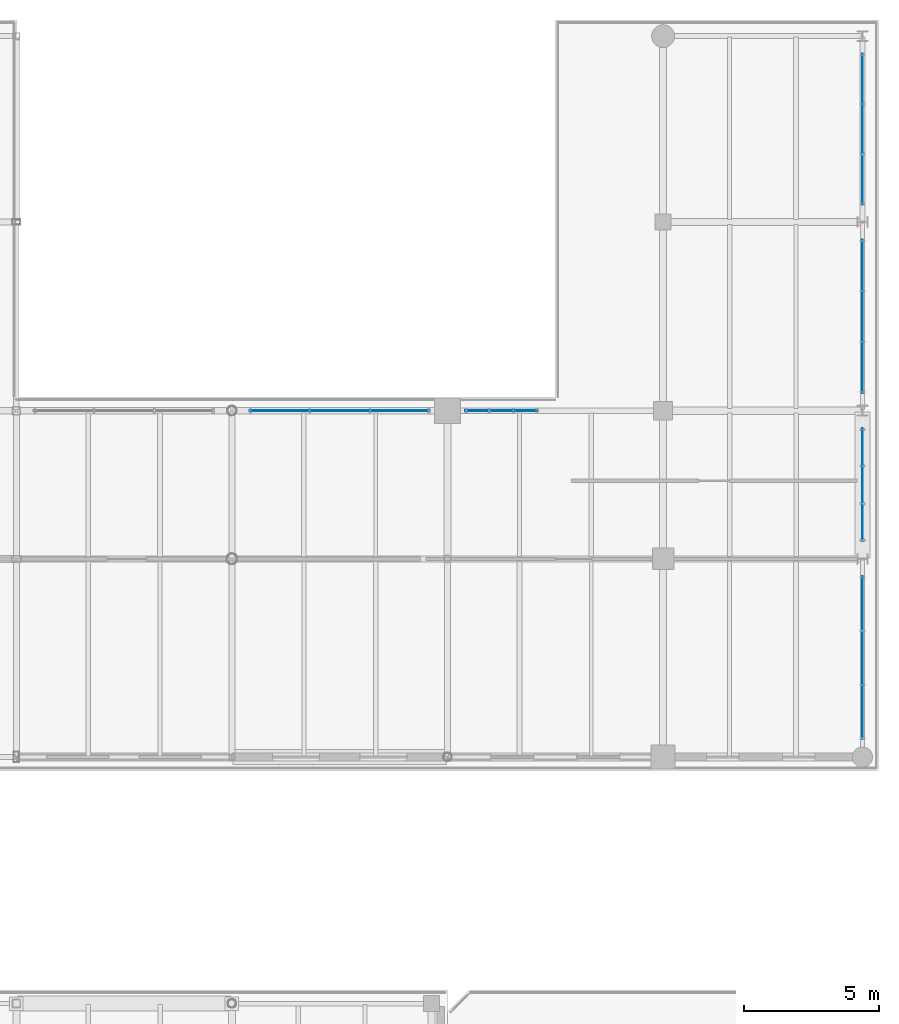
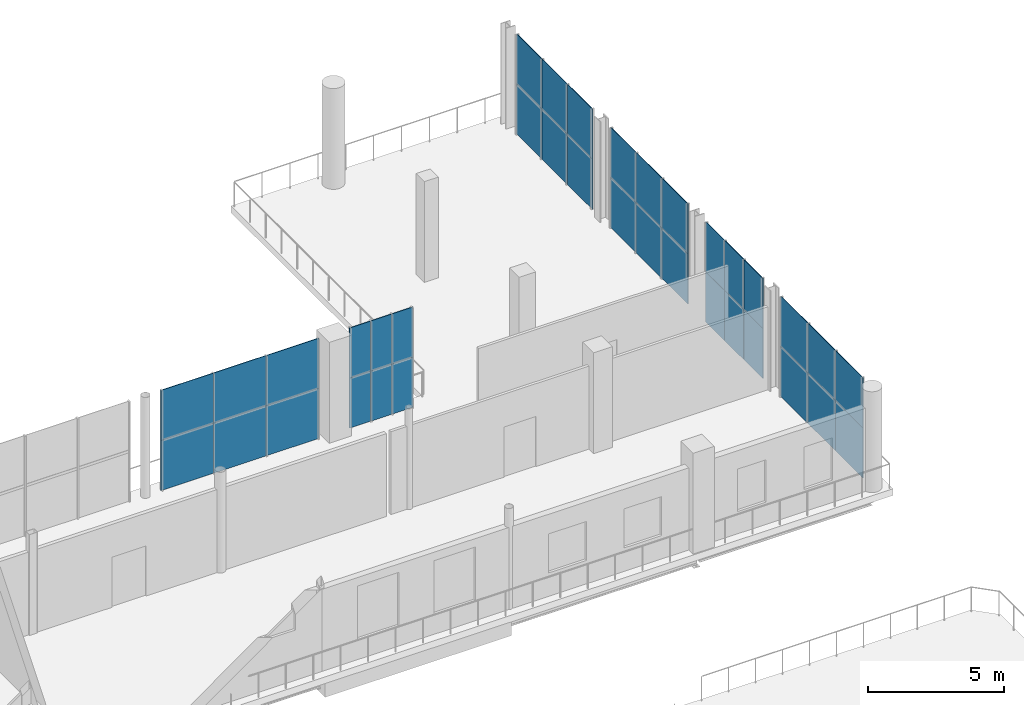
# One storey, part 67 of 93: 36 plates, 6 elements without a shape of their own.
"""IFC4 building model written with IfcOpenShell, lengths in metres."""

from ifc_helpers import new_model, si_unit, direction, frame, origin, origin_2d, place, context, subcontext, project, spatial, rectangle, extrude, material, layer, layer_set, type_object, element, aggregate, save


model = new_model("IFC4")

# Units and contexts
model_context = context("Model", 3, precision=1e-05, world=origin(), true_north=direction((0.0, 1.0)))
body_context = subcontext(model_context, "Body", "Model", "MODEL_VIEW")
ifc_project = project(units=[si_unit("LENGTHUNIT", "METRE"), si_unit("AREAUNIT", "SQUARE_METRE"), si_unit("VOLUMEUNIT", "CUBIC_METRE"), si_unit("PLANEANGLEUNIT", "RADIAN"), si_unit("MASSUNIT", "GRAM", prefix="KILO")], contexts=[model_context])

# Site, building, storey
site_placement = place(None, origin())
site = spatial("IfcSite", under=ifc_project, at=site_placement, CompositionType="ELEMENT")
building_placement = place(site_placement, origin())
building = spatial("IfcBuilding", under=site, at=building_placement, Name="Brisemont Oceanarium", CompositionType="ELEMENT")
storey_placement = place(building_placement, frame((0.0, 0.0, 5.39990234375)))
storey = spatial("IfcBuildingStorey", under=building, at=storey_placement, Name="L01", CompositionType="ELEMENT", Elevation=5.39990234375)

# Curtain wall, plates
ifc_material_1 = material(Name="Anodized Extruded Aluminum 6063-T6", Category="aluminium")
curtain_wall_type = type_object("IfcCurtainWallType", Name="CW-RES-61X43", PredefinedType="NOTDEFINED", material=ifc_material_1)
curtain_wall_1_placement = place(storey_placement, origin())
curtain_wall_1 = element("IfcCurtainWall", 1, at=curtain_wall_1_placement, inside=storey, type_object=curtain_wall_type, Name="CW-17 curtain wall CW-V6-E-L01-01", PredefinedType="NOTDEFINED")
ifc_material_2 = material(Name="Insulated Low-E Laminated Glass", Category="glass")
ifc_layer = layer(ifc_material_2, 0.02587890625)
ifc_layer_set = layer_set([ifc_layer], Name="Insulated Low-E Laminated Glass")
plate_type = type_object("IfcPlateType", Name="PLT-CWP-V9", PredefinedType="CURTAIN_PANEL", material=ifc_layer_set)
plate_1_placement = place(storey_placement, frame((159.39990234375, 82.308349609375, 0.00146484375), z_axis=(0.0, 0.0, 1.0), x_axis=(0.0, 1.0, 0.0)))
plate_1 = element("IfcPlate", 2, at=plate_1_placement, type_object=plate_type, Name="CW-V6-E-L01-01 panel 1.1", PredefinedType="CURTAIN_PANEL", context=body_context, shape_type="SweptSolid", body=[
    extrude(rectangle(XDim=2.013671875, YDim=0.02587890625, at=origin_2d()), origin(), (0.0, 0.0, 1.0), 2.2470703125),
])
plate_2_placement = place(storey_placement, frame((159.39990234375, 82.308349609375, 2.25146484375), z_axis=(0.0, 0.0, 1.0), x_axis=(0.0, 1.0, 0.0)))
plate_2 = element("IfcPlate", 3, at=plate_2_placement, type_object=plate_type, Name="CW-V6-E-L01-01 panel 1.2", PredefinedType="CURTAIN_PANEL", context=body_context, shape_type="SweptSolid", body=[
    extrude(rectangle(XDim=2.013671875, YDim=0.02587890625, at=origin_2d()), origin(), (0.0, 0.0, 1.0), 2.2470703125),
])
plate_3_placement = place(storey_placement, frame((159.39990234375, 84.324951171875, 0.00146484375), z_axis=(0.0, 0.0, 1.0), x_axis=(0.0, 1.0, 0.0)))
plate_3 = element("IfcPlate", 4, at=plate_3_placement, type_object=plate_type, Name="CW-V6-E-L01-01 panel 2.1", PredefinedType="CURTAIN_PANEL", context=body_context, shape_type="SweptSolid", body=[
    extrude(rectangle(XDim=2.013671875, YDim=0.02587890625, at=origin_2d()), origin(), (0.0, 0.0, 1.0), 2.2470703125),
])
plate_4_placement = place(storey_placement, frame((159.39990234375, 84.324951171875, 2.25146484375), z_axis=(0.0, 0.0, 1.0), x_axis=(0.0, 1.0, 0.0)))
plate_4 = element("IfcPlate", 5, at=plate_4_placement, type_object=plate_type, Name="CW-V6-E-L01-01 panel 2.2", PredefinedType="CURTAIN_PANEL", context=body_context, shape_type="SweptSolid", body=[
    extrude(rectangle(XDim=2.013671875, YDim=0.02587890625, at=origin_2d()), origin(), (0.0, 0.0, 1.0), 2.2470703125),
])
plate_5_placement = place(storey_placement, frame((159.39990234375, 86.341796875, 0.00146484375), z_axis=(0.0, 0.0, 1.0), x_axis=(0.0, 1.0, 0.0)))
plate_5 = element("IfcPlate", 6, at=plate_5_placement, type_object=plate_type, Name="CW-V6-E-L01-01 panel 3.1", PredefinedType="CURTAIN_PANEL", context=body_context, shape_type="SweptSolid", body=[
    extrude(rectangle(XDim=2.013671875, YDim=0.02587890625, at=origin_2d()), origin(), (0.0, 0.0, 1.0), 2.2470703125),
])
plate_6_placement = place(storey_placement, frame((159.39990234375, 86.341796875, 2.25146484375), z_axis=(0.0, 0.0, 1.0), x_axis=(0.0, 1.0, 0.0)))
plate_6 = element("IfcPlate", 7, at=plate_6_placement, type_object=plate_type, Name="CW-V6-E-L01-01 panel 3.2", PredefinedType="CURTAIN_PANEL", context=body_context, shape_type="SweptSolid", body=[
    extrude(rectangle(XDim=2.013671875, YDim=0.02587890625, at=origin_2d()), origin(), (0.0, 0.0, 1.0), 2.2470703125),
])
aggregate(curtain_wall_1, [plate_1, plate_2, plate_3, plate_4, plate_5, plate_6])

curtain_wall_2_placement = place(storey_placement, origin())
curtain_wall_2 = element("IfcCurtainWall", 8, at=curtain_wall_2_placement, inside=storey, type_object=curtain_wall_type, Name="CW-17 curtain wall CW-V6-E-L01-02", PredefinedType="NOTDEFINED")
plate_7_placement = place(storey_placement, frame((159.39990234375, 89.35009765625, 0.00146484375), z_axis=(0.0, 0.0, 1.0), x_axis=(0.0, 1.0, 0.0)))
plate_7 = element("IfcPlate", 9, at=plate_7_placement, type_object=plate_type, Name="CW-V6-E-L01-02 panel 1.1", PredefinedType="CURTAIN_PANEL", context=body_context, shape_type="SweptSolid", body=[
    extrude(rectangle(XDim=1.39697265625, YDim=0.02587890625, at=origin_2d()), origin(), (0.0, 0.0, 1.0), 2.2470703125),
])
plate_8_placement = place(storey_placement, frame((159.39990234375, 89.35009765625, 2.25146484375), z_axis=(0.0, 0.0, 1.0), x_axis=(0.0, 1.0, 0.0)))
plate_8 = element("IfcPlate", 10, at=plate_8_placement, type_object=plate_type, Name="CW-V6-E-L01-02 panel 1.2", PredefinedType="CURTAIN_PANEL", context=body_context, shape_type="SweptSolid", body=[
    extrude(rectangle(XDim=1.39697265625, YDim=0.02587890625, at=origin_2d()), origin(), (0.0, 0.0, 1.0), 2.2470703125),
])
plate_9_placement = place(storey_placement, frame((159.39990234375, 90.75, 0.00146484375), z_axis=(0.0, 0.0, 1.0), x_axis=(0.0, 1.0, 0.0)))
plate_9 = element("IfcPlate", 11, at=plate_9_placement, type_object=plate_type, Name="CW-V6-E-L01-02 panel 2.1", PredefinedType="CURTAIN_PANEL", context=body_context, shape_type="SweptSolid", body=[
    extrude(rectangle(XDim=1.39697265625, YDim=0.02587890625, at=origin_2d()), origin(), (0.0, 0.0, 1.0), 2.2470703125),
])
plate_10_placement = place(storey_placement, frame((159.39990234375, 90.75, 2.25146484375), z_axis=(0.0, 0.0, 1.0), x_axis=(0.0, 1.0, 0.0)))
plate_10 = element("IfcPlate", 12, at=plate_10_placement, type_object=plate_type, Name="CW-V6-E-L01-02 panel 2.2", PredefinedType="CURTAIN_PANEL", context=body_context, shape_type="SweptSolid", body=[
    extrude(rectangle(XDim=1.39697265625, YDim=0.02587890625, at=origin_2d()), origin(), (0.0, 0.0, 1.0), 2.2470703125),
])
plate_11_placement = place(storey_placement, frame((159.39990234375, 92.14990234375, 0.00146484375), z_axis=(0.0, 0.0, 1.0), x_axis=(0.0, 1.0, 0.0)))
plate_11 = element("IfcPlate", 13, at=plate_11_placement, type_object=plate_type, Name="CW-V6-E-L01-02 panel 3.1", PredefinedType="CURTAIN_PANEL", context=body_context, shape_type="SweptSolid", body=[
    extrude(rectangle(XDim=1.39697265625, YDim=0.02587890625, at=origin_2d()), origin(), (0.0, 0.0, 1.0), 2.2470703125),
])
plate_12_placement = place(storey_placement, frame((159.39990234375, 92.14990234375, 2.25146484375), z_axis=(0.0, 0.0, 1.0), x_axis=(0.0, 1.0, 0.0)))
plate_12 = element("IfcPlate", 14, at=plate_12_placement, type_object=plate_type, Name="CW-V6-E-L01-02 panel 3.2", PredefinedType="CURTAIN_PANEL", context=body_context, shape_type="SweptSolid", body=[
    extrude(rectangle(XDim=1.39697265625, YDim=0.02587890625, at=origin_2d()), origin(), (0.0, 0.0, 1.0), 2.2470703125),
])
aggregate(curtain_wall_2, [plate_7, plate_8, plate_9, plate_10, plate_11, plate_12])

curtain_wall_3_placement = place(storey_placement, origin())
curtain_wall_3 = element("IfcCurtainWall", 15, at=curtain_wall_3_placement, inside=storey, type_object=curtain_wall_type, Name="CW-17 curtain wall CW-V6-E-L01-03", PredefinedType="NOTDEFINED")
plate_13_placement = place(storey_placement, frame((159.39990234375, 95.10009765625, 0.00146484375), z_axis=(0.0, 0.0, 1.0), x_axis=(0.0, 1.0, 0.0)))
plate_13 = element("IfcPlate", 16, at=plate_13_placement, type_object=plate_type, Name="CW-V6-E-L01-03 panel 1.1", PredefinedType="CURTAIN_PANEL", context=body_context, shape_type="SweptSolid", body=[
    extrude(rectangle(XDim=1.89697265625, YDim=0.02587890625, at=origin_2d()), origin(), (0.0, 0.0, 1.0), 2.2470703125),
])
plate_14_placement = place(storey_placement, frame((159.39990234375, 95.10009765625, 2.25146484375), z_axis=(0.0, 0.0, 1.0), x_axis=(0.0, 1.0, 0.0)))
plate_14 = element("IfcPlate", 17, at=plate_14_placement, type_object=plate_type, Name="CW-V6-E-L01-03 panel 1.2", PredefinedType="CURTAIN_PANEL", context=body_context, shape_type="SweptSolid", body=[
    extrude(rectangle(XDim=1.89697265625, YDim=0.02587890625, at=origin_2d()), origin(), (0.0, 0.0, 1.0), 2.2470703125),
])
plate_15_placement = place(storey_placement, frame((159.39990234375, 97.0, 0.00146484375), z_axis=(0.0, 0.0, 1.0), x_axis=(0.0, 1.0, 0.0)))
plate_15 = element("IfcPlate", 18, at=plate_15_placement, type_object=plate_type, Name="CW-V6-E-L01-03 panel 2.1", PredefinedType="CURTAIN_PANEL", context=body_context, shape_type="SweptSolid", body=[
    extrude(rectangle(XDim=1.89697265625, YDim=0.02587890625, at=origin_2d()), origin(), (0.0, 0.0, 1.0), 2.2470703125),
])
plate_16_placement = place(storey_placement, frame((159.39990234375, 97.0, 2.25146484375), z_axis=(0.0, 0.0, 1.0), x_axis=(0.0, 1.0, 0.0)))
plate_16 = element("IfcPlate", 19, at=plate_16_placement, type_object=plate_type, Name="CW-V6-E-L01-03 panel 2.2", PredefinedType="CURTAIN_PANEL", context=body_context, shape_type="SweptSolid", body=[
    extrude(rectangle(XDim=1.89697265625, YDim=0.02587890625, at=origin_2d()), origin(), (0.0, 0.0, 1.0), 2.2470703125),
])
plate_17_placement = place(storey_placement, frame((159.39990234375, 98.89990234375, 0.00146484375), z_axis=(0.0, 0.0, 1.0), x_axis=(0.0, 1.0, 0.0)))
plate_17 = element("IfcPlate", 20, at=plate_17_placement, type_object=plate_type, Name="CW-V6-E-L01-03 panel 3.1", PredefinedType="CURTAIN_PANEL", context=body_context, shape_type="SweptSolid", body=[
    extrude(rectangle(XDim=1.89697265625, YDim=0.02587890625, at=origin_2d()), origin(), (0.0, 0.0, 1.0), 2.2470703125),
])
plate_18_placement = place(storey_placement, frame((159.39990234375, 98.89990234375, 2.25146484375), z_axis=(0.0, 0.0, 1.0), x_axis=(0.0, 1.0, 0.0)))
plate_18 = element("IfcPlate", 21, at=plate_18_placement, type_object=plate_type, Name="CW-V6-E-L01-03 panel 3.2", PredefinedType="CURTAIN_PANEL", context=body_context, shape_type="SweptSolid", body=[
    extrude(rectangle(XDim=1.89697265625, YDim=0.02587890625, at=origin_2d()), origin(), (0.0, 0.0, 1.0), 2.2470703125),
])
aggregate(curtain_wall_3, [plate_13, plate_14, plate_15, plate_16, plate_17, plate_18])

curtain_wall_4_placement = place(storey_placement, origin())
curtain_wall_4 = element("IfcCurtainWall", 22, at=curtain_wall_4_placement, inside=storey, type_object=curtain_wall_type, Name="CW-17 curtain wall CW-V6-E-L01-04", PredefinedType="NOTDEFINED")
plate_19_placement = place(storey_placement, frame((159.39990234375, 102.083251953125, 0.00146484375), z_axis=(0.0, 0.0, 1.0), x_axis=(0.0, 1.0, 0.0)))
plate_19 = element("IfcPlate", 23, at=plate_19_placement, type_object=plate_type, Name="CW-V6-E-L01-04 panel 1.1", PredefinedType="CURTAIN_PANEL", context=body_context, shape_type="SweptSolid", body=[
    extrude(rectangle(XDim=1.86376953125, YDim=0.02587890625, at=origin_2d()), origin(), (0.0, 0.0, 1.0), 2.2470703125),
])
plate_20_placement = place(storey_placement, frame((159.39990234375, 102.083251953125, 2.25146484375), z_axis=(0.0, 0.0, 1.0), x_axis=(0.0, 1.0, 0.0)))
plate_20 = element("IfcPlate", 24, at=plate_20_placement, type_object=plate_type, Name="CW-V6-E-L01-04 panel 1.2", PredefinedType="CURTAIN_PANEL", context=body_context, shape_type="SweptSolid", body=[
    extrude(rectangle(XDim=1.86376953125, YDim=0.02587890625, at=origin_2d()), origin(), (0.0, 0.0, 1.0), 2.2470703125),
])
plate_21_placement = place(storey_placement, frame((159.39990234375, 103.949951171875, 0.00146484375), z_axis=(0.0, 0.0, 1.0), x_axis=(0.0, 1.0, 0.0)))
plate_21 = element("IfcPlate", 25, at=plate_21_placement, type_object=plate_type, Name="CW-V6-E-L01-04 panel 2.1", PredefinedType="CURTAIN_PANEL", context=body_context, shape_type="SweptSolid", body=[
    extrude(rectangle(XDim=1.86376953125, YDim=0.02587890625, at=origin_2d()), origin(), (0.0, 0.0, 1.0), 2.2470703125),
])
plate_22_placement = place(storey_placement, frame((159.39990234375, 103.949951171875, 2.25146484375), z_axis=(0.0, 0.0, 1.0), x_axis=(0.0, 1.0, 0.0)))
plate_22 = element("IfcPlate", 26, at=plate_22_placement, type_object=plate_type, Name="CW-V6-E-L01-04 panel 2.2", PredefinedType="CURTAIN_PANEL", context=body_context, shape_type="SweptSolid", body=[
    extrude(rectangle(XDim=1.86376953125, YDim=0.02587890625, at=origin_2d()), origin(), (0.0, 0.0, 1.0), 2.2470703125),
])
plate_23_placement = place(storey_placement, frame((159.39990234375, 105.816650390625, 0.00146484375), z_axis=(0.0, 0.0, 1.0), x_axis=(0.0, 1.0, 0.0)))
plate_23 = element("IfcPlate", 27, at=plate_23_placement, type_object=plate_type, Name="CW-V6-E-L01-04 panel 3.1", PredefinedType="CURTAIN_PANEL", context=body_context, shape_type="SweptSolid", body=[
    extrude(rectangle(XDim=1.86376953125, YDim=0.02587890625, at=origin_2d()), origin(), (0.0, 0.0, 1.0), 2.2470703125),
])
plate_24_placement = place(storey_placement, frame((159.39990234375, 105.816650390625, 2.25146484375), z_axis=(0.0, 0.0, 1.0), x_axis=(0.0, 1.0, 0.0)))
plate_24 = element("IfcPlate", 28, at=plate_24_placement, type_object=plate_type, Name="CW-V6-E-L01-04 panel 3.2", PredefinedType="CURTAIN_PANEL", context=body_context, shape_type="SweptSolid", body=[
    extrude(rectangle(XDim=1.86376953125, YDim=0.02587890625, at=origin_2d()), origin(), (0.0, 0.0, 1.0), 2.2470703125),
])
aggregate(curtain_wall_4, [plate_19, plate_20, plate_21, plate_22, plate_23, plate_24])

curtain_wall_5_placement = place(storey_placement, origin())
curtain_wall_5 = element("IfcCurtainWall", 29, at=curtain_wall_5_placement, inside=storey, type_object=curtain_wall_type, Name="CW-17 curtain wall CW-V6-CL-L01-02", PredefinedType="NOTDEFINED")
plate_25_placement = place(storey_placement, frame((137.7666015625, 93.5, 0.00146484375), z_axis=(0.0, 0.0, 1.0), x_axis=(1.0, 0.0, 0.0)))
plate_25 = element("IfcPlate", 30, at=plate_25_placement, type_object=plate_type, Name="CW-V6-CL-L01-02 panel 1.1", PredefinedType="CURTAIN_PANEL", context=body_context, shape_type="SweptSolid", body=[
    extrude(rectangle(XDim=2.230224609375, YDim=0.02587890625, at=origin_2d()), origin(), (0.0, 0.0, 1.0), 2.2470703125),
])
plate_26_placement = place(storey_placement, frame((137.7666015625, 93.5, 2.25146484375), z_axis=(0.0, 0.0, 1.0), x_axis=(1.0, 0.0, 0.0)))
plate_26 = element("IfcPlate", 31, at=plate_26_placement, type_object=plate_type, Name="CW-V6-CL-L01-02 panel 1.2", PredefinedType="CURTAIN_PANEL", context=body_context, shape_type="SweptSolid", body=[
    extrude(rectangle(XDim=2.230224609375, YDim=0.02587890625, at=origin_2d()), origin(), (0.0, 0.0, 1.0), 2.2470703125),
])
plate_27_placement = place(storey_placement, frame((140.0, 93.5, 0.00146484375), z_axis=(0.0, 0.0, 1.0), x_axis=(1.0, 0.0, 0.0)))
plate_27 = element("IfcPlate", 32, at=plate_27_placement, type_object=plate_type, Name="CW-V6-CL-L01-02 panel 2.1", PredefinedType="CURTAIN_PANEL", context=body_context, shape_type="SweptSolid", body=[
    extrude(rectangle(XDim=2.230224609375, YDim=0.02587890625, at=origin_2d()), origin(), (0.0, 0.0, 1.0), 2.2470703125),
])
plate_28_placement = place(storey_placement, frame((140.0, 93.5, 2.25146484375), z_axis=(0.0, 0.0, 1.0), x_axis=(1.0, 0.0, 0.0)))
plate_28 = element("IfcPlate", 33, at=plate_28_placement, type_object=plate_type, Name="CW-V6-CL-L01-02 panel 2.2", PredefinedType="CURTAIN_PANEL", context=body_context, shape_type="SweptSolid", body=[
    extrude(rectangle(XDim=2.230224609375, YDim=0.02587890625, at=origin_2d()), origin(), (0.0, 0.0, 1.0), 2.2470703125),
])
plate_29_placement = place(storey_placement, frame((142.2333984375, 93.5, 0.00146484375), z_axis=(0.0, 0.0, 1.0), x_axis=(1.0, 0.0, 0.0)))
plate_29 = element("IfcPlate", 34, at=plate_29_placement, type_object=plate_type, Name="CW-V6-CL-L01-02 panel 3.1", PredefinedType="CURTAIN_PANEL", context=body_context, shape_type="SweptSolid", body=[
    extrude(rectangle(XDim=2.230224609375, YDim=0.02587890625, at=origin_2d()), origin(), (0.0, 0.0, 1.0), 2.2470703125),
])
plate_30_placement = place(storey_placement, frame((142.2333984375, 93.5, 2.25146484375), z_axis=(0.0, 0.0, 1.0), x_axis=(1.0, 0.0, 0.0)))
plate_30 = element("IfcPlate", 35, at=plate_30_placement, type_object=plate_type, Name="CW-V6-CL-L01-02 panel 3.2", PredefinedType="CURTAIN_PANEL", context=body_context, shape_type="SweptSolid", body=[
    extrude(rectangle(XDim=2.230224609375, YDim=0.02587890625, at=origin_2d()), origin(), (0.0, 0.0, 1.0), 2.2470703125),
])
aggregate(curtain_wall_5, [plate_25, plate_26, plate_27, plate_28, plate_29, plate_30])

curtain_wall_6_placement = place(storey_placement, origin())
curtain_wall_6 = element("IfcCurtainWall", 36, at=curtain_wall_6_placement, inside=storey, type_object=curtain_wall_type, Name="CW-17 curtain wall CW-V6-CL-L01-03", PredefinedType="NOTDEFINED")
plate_31_placement = place(storey_placement, frame((145.10009765625, 93.5, 0.00146484375), z_axis=(0.0, 0.0, 1.0), x_axis=(1.0, 0.0, 0.0)))
plate_31 = element("IfcPlate", 37, at=plate_31_placement, type_object=plate_type, Name="CW-V6-CL-L01-03 panel 1.1", PredefinedType="CURTAIN_PANEL", context=body_context, shape_type="SweptSolid", body=[
    extrude(rectangle(XDim=0.89697265625, YDim=0.02587890625, at=origin_2d()), origin(), (0.0, 0.0, 1.0), 2.2470703125),
])
plate_32_placement = place(storey_placement, frame((145.10009765625, 93.5, 2.25146484375), z_axis=(0.0, 0.0, 1.0), x_axis=(1.0, 0.0, 0.0)))
plate_32 = element("IfcPlate", 38, at=plate_32_placement, type_object=plate_type, Name="CW-V6-CL-L01-03 panel 1.2", PredefinedType="CURTAIN_PANEL", context=body_context, shape_type="SweptSolid", body=[
    extrude(rectangle(XDim=0.89697265625, YDim=0.02587890625, at=origin_2d()), origin(), (0.0, 0.0, 1.0), 2.2470703125),
])
plate_33_placement = place(storey_placement, frame((146.0, 93.5, 0.00146484375), z_axis=(0.0, 0.0, 1.0), x_axis=(1.0, 0.0, 0.0)))
plate_33 = element("IfcPlate", 39, at=plate_33_placement, type_object=plate_type, Name="CW-V6-CL-L01-03 panel 2.1", PredefinedType="CURTAIN_PANEL", context=body_context, shape_type="SweptSolid", body=[
    extrude(rectangle(XDim=0.89697265625, YDim=0.02587890625, at=origin_2d()), origin(), (0.0, 0.0, 1.0), 2.2470703125),
])
plate_34_placement = place(storey_placement, frame((146.0, 93.5, 2.25146484375), z_axis=(0.0, 0.0, 1.0), x_axis=(1.0, 0.0, 0.0)))
plate_34 = element("IfcPlate", 40, at=plate_34_placement, type_object=plate_type, Name="CW-V6-CL-L01-03 panel 2.2", PredefinedType="CURTAIN_PANEL", context=body_context, shape_type="SweptSolid", body=[
    extrude(rectangle(XDim=0.89697265625, YDim=0.02587890625, at=origin_2d()), origin(), (0.0, 0.0, 1.0), 2.2470703125),
])
plate_35_placement = place(storey_placement, frame((146.89990234375, 93.5, 0.00146484375), z_axis=(0.0, 0.0, 1.0), x_axis=(1.0, 0.0, 0.0)))
plate_35 = element("IfcPlate", 41, at=plate_35_placement, type_object=plate_type, Name="CW-V6-CL-L01-03 panel 3.1", PredefinedType="CURTAIN_PANEL", context=body_context, shape_type="SweptSolid", body=[
    extrude(rectangle(XDim=0.89697265625, YDim=0.02587890625, at=origin_2d()), origin(), (0.0, 0.0, 1.0), 2.2470703125),
])
plate_36_placement = place(storey_placement, frame((146.89990234375, 93.5, 2.25146484375), z_axis=(0.0, 0.0, 1.0), x_axis=(1.0, 0.0, 0.0)))
plate_36 = element("IfcPlate", 42, at=plate_36_placement, type_object=plate_type, Name="CW-V6-CL-L01-03 panel 3.2", PredefinedType="CURTAIN_PANEL", context=body_context, shape_type="SweptSolid", body=[
    extrude(rectangle(XDim=0.89697265625, YDim=0.02587890625, at=origin_2d()), origin(), (0.0, 0.0, 1.0), 2.2470703125),
])
aggregate(curtain_wall_6, [plate_31, plate_32, plate_33, plate_34, plate_35, plate_36])

save(model, "model.ifc")
